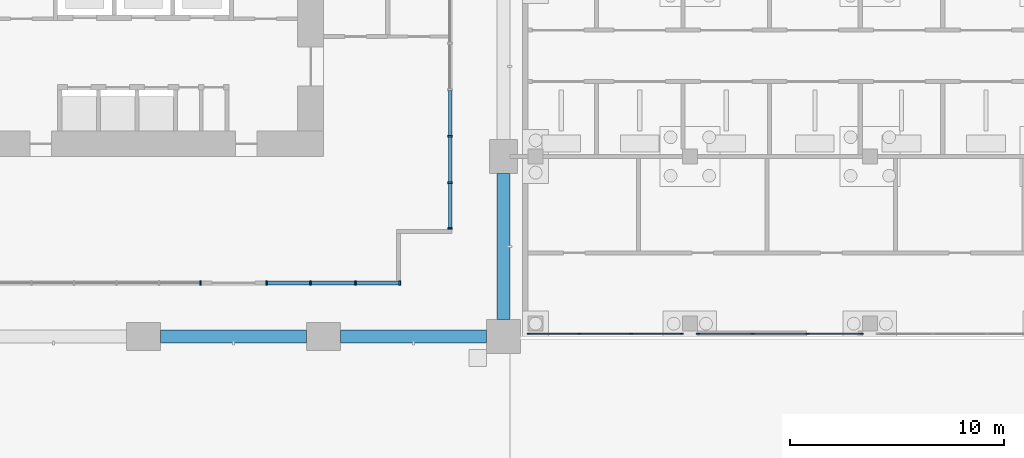
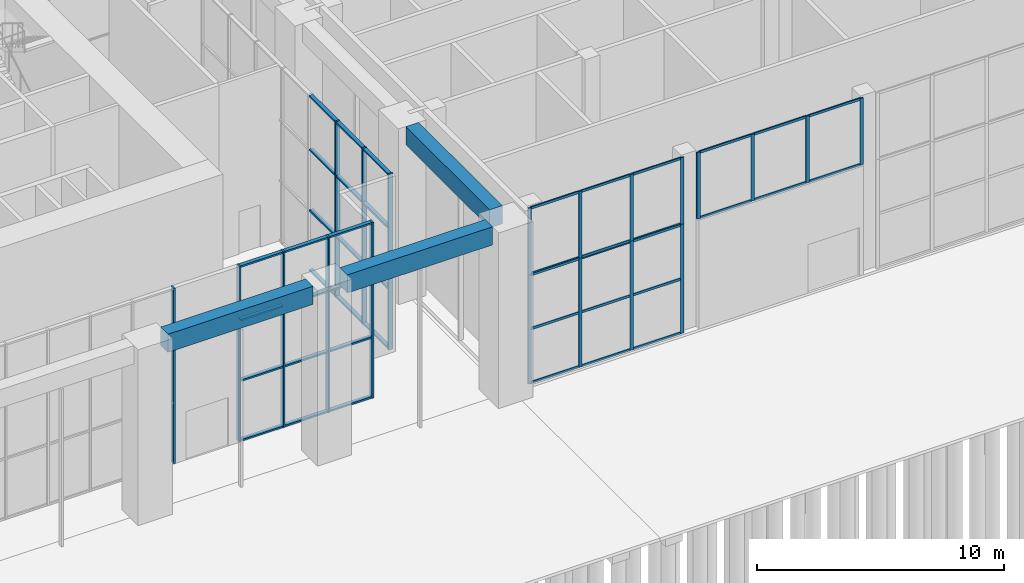
# One storey, part 7 of 46: 65 members, 3 beams, 6 elements without a shape of their own.
"""IFC4 building model written with IfcOpenShell, lengths in metres."""

from ifc_helpers import new_model, si_unit, direction, frame, origin, origin_2d, place, context, subcontext, project, spatial, rectangle, extrude, material, layer, layer_set, material_profile, profile_set, type_object, element, aggregate, save


model = new_model("IFC4")

# Units and contexts
model_context = context("Model", 3, precision=1e-05, world=origin(), true_north=direction((0.0, 1.0)))
body_context = subcontext(model_context, "Body", "Model", "MODEL_VIEW")
ifc_project = project(units=[si_unit("LENGTHUNIT", "METRE"), si_unit("AREAUNIT", "SQUARE_METRE"), si_unit("VOLUMEUNIT", "CUBIC_METRE"), si_unit("PLANEANGLEUNIT", "RADIAN"), si_unit("MASSUNIT", "GRAM", prefix="KILO")], contexts=[model_context])

# Site, building, storey
site_placement = place(None, origin())
site = spatial("IfcSite", under=ifc_project, at=site_placement, CompositionType="ELEMENT")
building_placement = place(site_placement, origin())
building = spatial("IfcBuilding", under=site, at=building_placement, Name="Vermilion Gate Residences", CompositionType="ELEMENT")
storey_placement = place(building_placement, origin())
storey = spatial("IfcBuildingStorey", under=building, at=storey_placement, Name="L00", CompositionType="ELEMENT", Elevation=0.0)

# Curtain wall, members
ifc_material_1 = material(Name="Aluminium and glass", Category="aluminium")
ifc_layer_1 = layer(ifc_material_1, 0.159912109375)
ifc_layer_set_1 = layer_set([ifc_layer_1], Name="SHOPFRONT CURTAIN WALL (MARKET HALL)")
curtain_wall_type_1 = type_object("IfcCurtainWallType", Name="SHOPFRONT CURTAIN WALL (MARKET HALL)", PredefinedType="NOTDEFINED", material=ifc_layer_set_1)
curtain_wall_1_placement = place(storey_placement, origin())
curtain_wall_1 = element("IfcCurtainWall", 1, at=curtain_wall_1_placement, inside=storey, type_object=curtain_wall_type_1, Name="Shopfront glazing", PredefinedType="NOTDEFINED")
ifc_material_2 = material(Name="Aluminium", Category="aluminium")
ifc_material_profile_1 = material_profile(ifc_material_2, rectangle(XDim=0.06005859375, YDim=0.159912109375, at=origin_2d()), Name="ALUMINIUM MULLION 60 X 160 (MARKET HALL)")
ifc_profile_set_1 = profile_set([ifc_material_profile_1], Name="Aluminium")
member_type_1 = type_object("IfcMemberType", Name="ALUMINIUM MULLION 60 X 160 (MARKET HALL)", PredefinedType="MULLION", material=ifc_profile_set_1)
member_1_placement = place(storey_placement, frame((68.3798828125, 0.125, 0.0), z_axis=(0.0, 0.0, 1.0), x_axis=(0.0, 1.0, 0.0)))
member_1 = element("IfcMember", 2, at=member_1_placement, type_object=member_type_1, Name="HC3 mullion 1", PredefinedType="MULLION", context=body_context, shape_type="SweptSolid", body=[
    extrude(rectangle(XDim=0.06005859375, YDim=0.159912109375, at=origin_2d()), origin(), (0.0, 0.0, 1.0), 5.39990234375),
])
member_2_placement = place(storey_placement, frame((70.75, 0.125, 0.0), z_axis=(0.0, 0.0, 1.0), x_axis=(0.0, 1.0, 0.0)))
member_2 = element("IfcMember", 3, at=member_2_placement, type_object=member_type_1, Name="HC3 mullion 2", PredefinedType="MULLION", context=body_context, shape_type="SweptSolid", body=[
    extrude(rectangle(XDim=0.06005859375, YDim=0.159912109375, at=origin_2d()), origin(), (0.0, 0.0, 1.0), 5.39990234375),
])
member_3_placement = place(storey_placement, frame((73.14990234375, 0.125, 0.0), z_axis=(0.0, 0.0, 1.0), x_axis=(0.0, 1.0, 0.0)))
member_3 = element("IfcMember", 4, at=member_3_placement, type_object=member_type_1, Name="HC3 mullion 3", PredefinedType="MULLION", context=body_context, shape_type="SweptSolid", body=[
    extrude(rectangle(XDim=0.06005859375, YDim=0.159912109375, at=origin_2d()), origin(), (0.0, 0.0, 1.0), 5.39990234375),
])
member_4_placement = place(storey_placement, frame((75.52001953125, 0.125, 0.0), z_axis=(0.0, 0.0, 1.0), x_axis=(0.0, 1.0, 0.0)))
member_4 = element("IfcMember", 5, at=member_4_placement, type_object=member_type_1, Name="HC3 mullion 4", PredefinedType="MULLION", context=body_context, shape_type="SweptSolid", body=[
    extrude(rectangle(XDim=0.06005859375, YDim=0.159912109375, at=origin_2d()), origin(), (0.0, 0.0, 1.0), 5.39990234375),
])

ifc_material_3 = material(Name="Aluminium and glass", Category="aluminium")
ifc_layer_2 = layer(ifc_material_3, 0.159912109375)
ifc_layer_set_2 = layer_set([ifc_layer_2], Name="CLERESTORY CURTAIN WALL (MARKET HALL)")
curtain_wall_type_2 = type_object("IfcCurtainWallType", Name="CLERESTORY CURTAIN WALL (MARKET HALL)", PredefinedType="NOTDEFINED", material=ifc_layer_set_2)
curtain_wall_2_placement = place(storey_placement, origin())
curtain_wall_2 = element("IfcCurtainWall", 6, at=curtain_wall_2_placement, inside=storey, type_object=curtain_wall_type_2, Name="Clerestory glazing", PredefinedType="NOTDEFINED")
member_5_placement = place(storey_placement, frame((68.3798828125, 0.125, 5.39990234375), z_axis=(0.0, 0.0, 1.0), x_axis=(0.0, 1.0, 0.0)))
member_5 = element("IfcMember", 7, at=member_5_placement, type_object=member_type_1, Name="HC4 mullion 1", PredefinedType="MULLION", context=body_context, shape_type="SweptSolid", body=[
    extrude(rectangle(XDim=0.06005859375, YDim=0.159912109375, at=origin_2d()), origin(), (0.0, 0.0, 1.0), 3.300048828125),
])
member_6_placement = place(storey_placement, frame((70.75, 0.125, 5.39990234375), z_axis=(0.0, 0.0, 1.0), x_axis=(0.0, 1.0, 0.0)))
member_6 = element("IfcMember", 8, at=member_6_placement, type_object=member_type_1, Name="HC4 mullion 2", PredefinedType="MULLION", context=body_context, shape_type="SweptSolid", body=[
    extrude(rectangle(XDim=0.06005859375, YDim=0.159912109375, at=origin_2d()), origin(), (0.0, 0.0, 1.0), 3.300048828125),
])
member_7_placement = place(storey_placement, frame((73.14990234375, 0.125, 5.39990234375), z_axis=(0.0, 0.0, 1.0), x_axis=(0.0, 1.0, 0.0)))
member_7 = element("IfcMember", 9, at=member_7_placement, type_object=member_type_1, Name="HC4 mullion 3", PredefinedType="MULLION", context=body_context, shape_type="SweptSolid", body=[
    extrude(rectangle(XDim=0.06005859375, YDim=0.159912109375, at=origin_2d()), origin(), (0.0, 0.0, 1.0), 3.300048828125),
])
member_8_placement = place(storey_placement, frame((75.52001953125, 0.125, 5.39990234375), z_axis=(0.0, 0.0, 1.0), x_axis=(0.0, 1.0, 0.0)))
member_8 = element("IfcMember", 10, at=member_8_placement, type_object=member_type_1, Name="HC4 mullion 4", PredefinedType="MULLION", context=body_context, shape_type="SweptSolid", body=[
    extrude(rectangle(XDim=0.06005859375, YDim=0.159912109375, at=origin_2d()), origin(), (0.0, 0.0, 1.0), 3.300048828125),
])

curtain_wall_3_placement = place(storey_placement, origin())
curtain_wall_3 = element("IfcCurtainWall", 11, at=curtain_wall_3_placement, inside=storey, type_object=curtain_wall_type_2, Name="Clerestory glazing", PredefinedType="NOTDEFINED")
member_9_placement = place(storey_placement, frame((76.280029296875, 0.125, 5.39990234375), z_axis=(0.0, 0.0, 1.0), x_axis=(0.0, 1.0, 0.0)))
member_9 = element("IfcMember", 12, at=member_9_placement, type_object=member_type_1, Name="HC4 mullion 1", PredefinedType="MULLION", context=body_context, shape_type="SweptSolid", body=[
    extrude(rectangle(XDim=0.06005859375, YDim=0.159912109375, at=origin_2d()), origin(), (0.0, 0.0, 1.0), 3.300048828125),
])
member_10_placement = place(storey_placement, frame((78.816650390625, 0.125, 5.39990234375), z_axis=(0.0, 0.0, 1.0), x_axis=(0.0, 1.0, 0.0)))
member_10 = element("IfcMember", 13, at=member_10_placement, type_object=member_type_1, Name="HC4 mullion 2", PredefinedType="MULLION", context=body_context, shape_type="SweptSolid", body=[
    extrude(rectangle(XDim=0.06005859375, YDim=0.159912109375, at=origin_2d()), origin(), (0.0, 0.0, 1.0), 3.300048828125),
])
member_11_placement = place(storey_placement, frame((81.38330078125, 0.125, 5.39990234375), z_axis=(0.0, 0.0, 1.0), x_axis=(0.0, 1.0, 0.0)))
member_11 = element("IfcMember", 14, at=member_11_placement, type_object=member_type_1, Name="HC4 mullion 3", PredefinedType="MULLION", context=body_context, shape_type="SweptSolid", body=[
    extrude(rectangle(XDim=0.06005859375, YDim=0.159912109375, at=origin_2d()), origin(), (0.0, 0.0, 1.0), 3.300048828125),
])
member_12_placement = place(storey_placement, frame((83.919921875, 0.125, 5.39990234375), z_axis=(0.0, 0.0, 1.0), x_axis=(0.0, 1.0, 0.0)))
member_12 = element("IfcMember", 15, at=member_12_placement, type_object=member_type_1, Name="HC4 mullion 4", PredefinedType="MULLION", context=body_context, shape_type="SweptSolid", body=[
    extrude(rectangle(XDim=0.06005859375, YDim=0.159912109375, at=origin_2d()), origin(), (0.0, 0.0, 1.0), 3.300048828125),
])

# Member
ifc_material_4 = material(Name="Aluminium", Category="aluminium")
ifc_material_profile_2 = material_profile(ifc_material_4, rectangle(XDim=0.06005859375, YDim=0.1201171875, at=origin_2d()), Name="ALUMINIUM TRANSOM 60 X 120 (MARKET HALL)")
ifc_profile_set_2 = profile_set([ifc_material_profile_2], Name="Aluminium")
member_type_2 = type_object("IfcMemberType", Name="ALUMINIUM TRANSOM 60 X 120 (MARKET HALL)", PredefinedType="MULLION", material=ifc_profile_set_2)
member_13_placement = place(storey_placement, frame((68.409912109375, 0.125, 0.030029296875), z_axis=(1.0, 0.0, 0.0), x_axis=(0.0, 1.0, 0.0)))
member_13 = element("IfcMember", 16, at=member_13_placement, type_object=member_type_2, Name="HC3 transom 1.1", PredefinedType="MULLION", context=body_context, shape_type="SweptSolid", body=[
    extrude(rectangle(XDim=0.06005859375, YDim=0.1201171875, at=origin_2d()), origin(), (0.0, 0.0, 1.0), 2.31005859375),
])

member_14_placement = place(storey_placement, frame((68.409912109375, 0.125, 2.699951171875), z_axis=(1.0, 0.0, 0.0), x_axis=(0.0, 1.0, 0.0)))
member_14 = element("IfcMember", 17, at=member_14_placement, type_object=member_type_2, Name="HC3 transom 1.2", PredefinedType="MULLION", context=body_context, shape_type="SweptSolid", body=[
    extrude(rectangle(XDim=0.06005859375, YDim=0.1201171875, at=origin_2d()), origin(), (0.0, 0.0, 1.0), 2.31005859375),
])

member_15_placement = place(storey_placement, frame((68.409912109375, 0.125, 5.3701171875), z_axis=(1.0, 0.0, 0.0), x_axis=(0.0, 1.0, 0.0)))
member_15 = element("IfcMember", 18, at=member_15_placement, type_object=member_type_2, Name="HC3 transom 1.3", PredefinedType="MULLION", context=body_context, shape_type="SweptSolid", body=[
    extrude(rectangle(XDim=0.06005859375, YDim=0.1201171875, at=origin_2d()), origin(), (0.0, 0.0, 1.0), 2.31005859375),
])

member_16_placement = place(storey_placement, frame((70.780029296875, 0.125, 0.030029296875), z_axis=(1.0, 0.0, 0.0), x_axis=(0.0, 1.0, 0.0)))
member_16 = element("IfcMember", 19, at=member_16_placement, type_object=member_type_2, Name="HC3 transom 2.1", PredefinedType="MULLION", context=body_context, shape_type="SweptSolid", body=[
    extrude(rectangle(XDim=0.06005859375, YDim=0.1201171875, at=origin_2d()), origin(), (0.0, 0.0, 1.0), 2.340087890625),
])

member_17_placement = place(storey_placement, frame((70.780029296875, 0.125, 2.699951171875), z_axis=(1.0, 0.0, 0.0), x_axis=(0.0, 1.0, 0.0)))
member_17 = element("IfcMember", 20, at=member_17_placement, type_object=member_type_2, Name="HC3 transom 2.2", PredefinedType="MULLION", context=body_context, shape_type="SweptSolid", body=[
    extrude(rectangle(XDim=0.06005859375, YDim=0.1201171875, at=origin_2d()), origin(), (0.0, 0.0, 1.0), 2.340087890625),
])

member_18_placement = place(storey_placement, frame((70.780029296875, 0.125, 5.3701171875), z_axis=(1.0, 0.0, 0.0), x_axis=(0.0, 1.0, 0.0)))
member_18 = element("IfcMember", 21, at=member_18_placement, type_object=member_type_2, Name="HC3 transom 2.3", PredefinedType="MULLION", context=body_context, shape_type="SweptSolid", body=[
    extrude(rectangle(XDim=0.06005859375, YDim=0.1201171875, at=origin_2d()), origin(), (0.0, 0.0, 1.0), 2.340087890625),
])

member_19_placement = place(storey_placement, frame((73.179931640625, 0.125, 0.030029296875), z_axis=(1.0, 0.0, 0.0), x_axis=(0.0, 1.0, 0.0)))
member_19 = element("IfcMember", 22, at=member_19_placement, type_object=member_type_2, Name="HC3 transom 3.1", PredefinedType="MULLION", context=body_context, shape_type="SweptSolid", body=[
    extrude(rectangle(XDim=0.06005859375, YDim=0.1201171875, at=origin_2d()), origin(), (0.0, 0.0, 1.0), 2.31005859375),
])

member_20_placement = place(storey_placement, frame((73.179931640625, 0.125, 2.699951171875), z_axis=(1.0, 0.0, 0.0), x_axis=(0.0, 1.0, 0.0)))
member_20 = element("IfcMember", 23, at=member_20_placement, type_object=member_type_2, Name="HC3 transom 3.2", PredefinedType="MULLION", context=body_context, shape_type="SweptSolid", body=[
    extrude(rectangle(XDim=0.06005859375, YDim=0.1201171875, at=origin_2d()), origin(), (0.0, 0.0, 1.0), 2.31005859375),
])

member_21_placement = place(storey_placement, frame((73.179931640625, 0.125, 5.3701171875), z_axis=(1.0, 0.0, 0.0), x_axis=(0.0, 1.0, 0.0)))
member_21 = element("IfcMember", 24, at=member_21_placement, type_object=member_type_2, Name="HC3 transom 3.3", PredefinedType="MULLION", context=body_context, shape_type="SweptSolid", body=[
    extrude(rectangle(XDim=0.06005859375, YDim=0.1201171875, at=origin_2d()), origin(), (0.0, 0.0, 1.0), 2.31005859375),
])

aggregate(curtain_wall_1, [member_1, member_2, member_3, member_4, member_13, member_14, member_15, member_16, member_17, member_18, member_19, member_20, member_21])

member_22_placement = place(storey_placement, frame((68.409912109375, 0.125, 5.429931640625), z_axis=(1.0, 0.0, 0.0), x_axis=(0.0, 1.0, 0.0)))
member_22 = element("IfcMember", 25, at=member_22_placement, type_object=member_type_2, Name="HC4 transom 1.1", PredefinedType="MULLION", context=body_context, shape_type="SweptSolid", body=[
    extrude(rectangle(XDim=0.06005859375, YDim=0.1201171875, at=origin_2d()), origin(), (0.0, 0.0, 1.0), 2.31005859375),
])

member_23_placement = place(storey_placement, frame((68.409912109375, 0.125, 8.669921875), z_axis=(1.0, 0.0, 0.0), x_axis=(0.0, 1.0, 0.0)))
member_23 = element("IfcMember", 26, at=member_23_placement, type_object=member_type_2, Name="HC4 transom 1.2", PredefinedType="MULLION", context=body_context, shape_type="SweptSolid", body=[
    extrude(rectangle(XDim=0.06005859375, YDim=0.1201171875, at=origin_2d()), origin(), (0.0, 0.0, 1.0), 2.31005859375),
])

member_24_placement = place(storey_placement, frame((70.780029296875, 0.125, 5.429931640625), z_axis=(1.0, 0.0, 0.0), x_axis=(0.0, 1.0, 0.0)))
member_24 = element("IfcMember", 27, at=member_24_placement, type_object=member_type_2, Name="HC4 transom 2.1", PredefinedType="MULLION", context=body_context, shape_type="SweptSolid", body=[
    extrude(rectangle(XDim=0.06005859375, YDim=0.1201171875, at=origin_2d()), origin(), (0.0, 0.0, 1.0), 2.340087890625),
])

member_25_placement = place(storey_placement, frame((70.780029296875, 0.125, 8.669921875), z_axis=(1.0, 0.0, 0.0), x_axis=(0.0, 1.0, 0.0)))
member_25 = element("IfcMember", 28, at=member_25_placement, type_object=member_type_2, Name="HC4 transom 2.2", PredefinedType="MULLION", context=body_context, shape_type="SweptSolid", body=[
    extrude(rectangle(XDim=0.06005859375, YDim=0.1201171875, at=origin_2d()), origin(), (0.0, 0.0, 1.0), 2.340087890625),
])

member_26_placement = place(storey_placement, frame((73.179931640625, 0.125, 5.429931640625), z_axis=(1.0, 0.0, 0.0), x_axis=(0.0, 1.0, 0.0)))
member_26 = element("IfcMember", 29, at=member_26_placement, type_object=member_type_2, Name="HC4 transom 3.1", PredefinedType="MULLION", context=body_context, shape_type="SweptSolid", body=[
    extrude(rectangle(XDim=0.06005859375, YDim=0.1201171875, at=origin_2d()), origin(), (0.0, 0.0, 1.0), 2.31005859375),
])

member_27_placement = place(storey_placement, frame((73.179931640625, 0.125, 8.669921875), z_axis=(1.0, 0.0, 0.0), x_axis=(0.0, 1.0, 0.0)))
member_27 = element("IfcMember", 30, at=member_27_placement, type_object=member_type_2, Name="HC4 transom 3.2", PredefinedType="MULLION", context=body_context, shape_type="SweptSolid", body=[
    extrude(rectangle(XDim=0.06005859375, YDim=0.1201171875, at=origin_2d()), origin(), (0.0, 0.0, 1.0), 2.31005859375),
])

aggregate(curtain_wall_2, [member_5, member_6, member_7, member_8, member_22, member_23, member_24, member_25, member_26, member_27])

member_28_placement = place(storey_placement, frame((76.31005859375, 0.125, 5.429931640625), z_axis=(1.0, 0.0, 0.0), x_axis=(0.0, 1.0, 0.0)))
member_28 = element("IfcMember", 31, at=member_28_placement, type_object=member_type_2, Name="HC4 transom 1.1", PredefinedType="MULLION", context=body_context, shape_type="SweptSolid", body=[
    extrude(rectangle(XDim=0.06005859375, YDim=0.1201171875, at=origin_2d()), origin(), (0.0, 0.0, 1.0), 2.4765625),
])

member_29_placement = place(storey_placement, frame((76.31005859375, 0.125, 8.669921875), z_axis=(1.0, 0.0, 0.0), x_axis=(0.0, 1.0, 0.0)))
member_29 = element("IfcMember", 32, at=member_29_placement, type_object=member_type_2, Name="HC4 transom 1.2", PredefinedType="MULLION", context=body_context, shape_type="SweptSolid", body=[
    extrude(rectangle(XDim=0.06005859375, YDim=0.1201171875, at=origin_2d()), origin(), (0.0, 0.0, 1.0), 2.4765625),
])

member_30_placement = place(storey_placement, frame((78.8466796875, 0.125, 5.429931640625), z_axis=(1.0, 0.0, 0.0), x_axis=(0.0, 1.0, 0.0)))
member_30 = element("IfcMember", 33, at=member_30_placement, type_object=member_type_2, Name="HC4 transom 2.1", PredefinedType="MULLION", context=body_context, shape_type="SweptSolid", body=[
    extrude(rectangle(XDim=0.06005859375, YDim=0.1201171875, at=origin_2d()), origin(), (0.0, 0.0, 1.0), 2.506591796875),
])

member_31_placement = place(storey_placement, frame((78.8466796875, 0.125, 8.669921875), z_axis=(1.0, 0.0, 0.0), x_axis=(0.0, 1.0, 0.0)))
member_31 = element("IfcMember", 34, at=member_31_placement, type_object=member_type_2, Name="HC4 transom 2.2", PredefinedType="MULLION", context=body_context, shape_type="SweptSolid", body=[
    extrude(rectangle(XDim=0.06005859375, YDim=0.1201171875, at=origin_2d()), origin(), (0.0, 0.0, 1.0), 2.506591796875),
])

member_32_placement = place(storey_placement, frame((81.413330078125, 0.125, 5.429931640625), z_axis=(1.0, 0.0, 0.0), x_axis=(0.0, 1.0, 0.0)))
member_32 = element("IfcMember", 35, at=member_32_placement, type_object=member_type_2, Name="HC4 transom 3.1", PredefinedType="MULLION", context=body_context, shape_type="SweptSolid", body=[
    extrude(rectangle(XDim=0.06005859375, YDim=0.1201171875, at=origin_2d()), origin(), (0.0, 0.0, 1.0), 2.4765625),
])

member_33_placement = place(storey_placement, frame((81.413330078125, 0.125, 8.669921875), z_axis=(1.0, 0.0, 0.0), x_axis=(0.0, 1.0, 0.0)))
member_33 = element("IfcMember", 36, at=member_33_placement, type_object=member_type_2, Name="HC4 transom 3.2", PredefinedType="MULLION", context=body_context, shape_type="SweptSolid", body=[
    extrude(rectangle(XDim=0.06005859375, YDim=0.1201171875, at=origin_2d()), origin(), (0.0, 0.0, 1.0), 2.4765625),
])

aggregate(curtain_wall_3, [member_9, member_10, member_11, member_12, member_28, member_29, member_30, member_31, member_32, member_33])

# Curtain wall, member
ifc_material_5 = material(Name="Aluminium and glass", Category="aluminium")
curtain_wall_type_3 = type_object("IfcCurtainWallType", Name="LOBBY ENTRANCE GLAZING CURTAIN WALL", PredefinedType="NOTDEFINED", material=ifc_material_5)
curtain_wall_4_placement = place(storey_placement, origin())
curtain_wall_4 = element("IfcCurtainWall", 37, at=curtain_wall_4_placement, inside=storey, type_object=curtain_wall_type_3, Name="Lobby Entrance Glazing 90", PredefinedType="NOTDEFINED")
ifc_material_6 = material(Name="Aluminium", Category="aluminium")
ifc_material_profile_3 = material_profile(ifc_material_6, rectangle(XDim=0.219970703125, YDim=0.080078125, at=origin_2d()), Name="MULLION 80 X 220")
ifc_profile_set_3 = profile_set([ifc_material_profile_3], Name="Aluminium")
member_type_3 = type_object("IfcMemberType", Name="LOBBY ENTRANCE GLAZING MULLION 80 X 220", PredefinedType="MULLION", material=ifc_profile_set_3)
member_34_placement = place(storey_placement, frame((53.06005859375, 2.5, 0.0), z_axis=(0.0, 0.0, 1.0), x_axis=(0.0, 1.0, 0.0)))
member_34 = element("IfcMember", 38, at=member_34_placement, type_object=member_type_3, Name="ECW5 mullion 6", PredefinedType="MULLION", context=body_context, shape_type="SweptSolid", body=[
    extrude(rectangle(XDim=0.219970703125, YDim=0.080078125, at=origin_2d()), origin(), (0.0, 0.0, 1.0), 8.699951171875),
])
aggregate(curtain_wall_4, [member_34])

# Curtain wall, members
curtain_wall_5_placement = place(storey_placement, origin())
curtain_wall_5 = element("IfcCurtainWall", 39, at=curtain_wall_5_placement, inside=storey, type_object=curtain_wall_type_3, Name="Lobby Entrance Glazing 92", PredefinedType="NOTDEFINED")
member_35_placement = place(storey_placement, frame((56.139892578125, 2.5, 0.0), z_axis=(0.0, 0.0, 1.0), x_axis=(0.0, 1.0, 0.0)))
member_35 = element("IfcMember", 40, at=member_35_placement, type_object=member_type_3, Name="ECW5 mullion 1", PredefinedType="MULLION", context=body_context, shape_type="SweptSolid", body=[
    extrude(rectangle(XDim=0.219970703125, YDim=0.080078125, at=origin_2d()), origin(), (0.0, 0.0, 1.0), 8.699951171875),
])
member_36_placement = place(storey_placement, frame((58.199951171875, 2.5, 0.0), z_axis=(0.0, 0.0, 1.0), x_axis=(0.0, 1.0, 0.0)))
member_36 = element("IfcMember", 41, at=member_36_placement, type_object=member_type_3, Name="ECW5 mullion 2", PredefinedType="MULLION", context=body_context, shape_type="SweptSolid", body=[
    extrude(rectangle(XDim=0.219970703125, YDim=0.080078125, at=origin_2d()), origin(), (0.0, 0.0, 1.0), 8.699951171875),
])
member_37_placement = place(storey_placement, frame((60.300048828125, 2.5, 0.0), z_axis=(0.0, 0.0, 1.0), x_axis=(0.0, 1.0, 0.0)))
member_37 = element("IfcMember", 42, at=member_37_placement, type_object=member_type_3, Name="ECW5 mullion 3", PredefinedType="MULLION", context=body_context, shape_type="SweptSolid", body=[
    extrude(rectangle(XDim=0.219970703125, YDim=0.080078125, at=origin_2d()), origin(), (0.0, 0.0, 1.0), 8.699951171875),
])
member_38_placement = place(storey_placement, frame((62.360107421875, 2.5, 0.0), z_axis=(0.0, 0.0, 1.0), x_axis=(0.0, 1.0, 0.0)))
member_38 = element("IfcMember", 43, at=member_38_placement, type_object=member_type_3, Name="ECW5 mullion 4", PredefinedType="MULLION", context=body_context, shape_type="SweptSolid", body=[
    extrude(rectangle(XDim=0.219970703125, YDim=0.080078125, at=origin_2d()), origin(), (0.0, 0.0, 1.0), 8.699951171875),
])

curtain_wall_6_placement = place(storey_placement, origin())
curtain_wall_6 = element("IfcCurtainWall", 44, at=curtain_wall_6_placement, inside=storey, type_object=curtain_wall_type_3, Name="Lobby Entrance Glazing 120", PredefinedType="NOTDEFINED")
member_39_placement = place(storey_placement, frame((64.699951171875, 5.0400390625, 0.0), z_axis=(0.0, 0.0, 1.0), x_axis=(-1.0, 0.0, 0.0)))
member_39 = element("IfcMember", 45, at=member_39_placement, type_object=member_type_3, Name="ECW5 mullion 1", PredefinedType="MULLION", context=body_context, shape_type="SweptSolid", body=[
    extrude(rectangle(XDim=0.219970703125, YDim=0.080078125, at=origin_2d()), origin(), (0.0, 0.0, 1.0), 8.699951171875),
])
member_40_placement = place(storey_placement, frame((64.699951171875, 7.17138671875, 0.0), z_axis=(0.0, 0.0, 1.0), x_axis=(-1.0, 0.0, 0.0)))
member_40 = element("IfcMember", 46, at=member_40_placement, type_object=member_type_3, Name="ECW5 mullion 2", PredefinedType="MULLION", context=body_context, shape_type="SweptSolid", body=[
    extrude(rectangle(XDim=0.219970703125, YDim=0.080078125, at=origin_2d()), origin(), (0.0, 0.0, 1.0), 8.699951171875),
])
member_41_placement = place(storey_placement, frame((64.699951171875, 9.3427734375, 0.0), z_axis=(0.0, 0.0, 1.0), x_axis=(-1.0, 0.0, 0.0)))
member_41 = element("IfcMember", 47, at=member_41_placement, type_object=member_type_3, Name="ECW5 mullion 3", PredefinedType="MULLION", context=body_context, shape_type="SweptSolid", body=[
    extrude(rectangle(XDim=0.219970703125, YDim=0.080078125, at=origin_2d()), origin(), (0.0, 0.0, 1.0), 8.699951171875),
])

# Member
ifc_material_7 = material(Name="Aluminium", Category="aluminium")
ifc_material_profile_4 = material_profile(ifc_material_7, rectangle(XDim=0.179931640625, YDim=0.080078125, at=origin_2d()), Name="TRANSOM 80 X 180")
ifc_profile_set_4 = profile_set([ifc_material_profile_4], Name="Aluminium")
member_type_4 = type_object("IfcMemberType", Name="LOBBY ENTRANCE GLAZING TRANSOM 80 X 180", PredefinedType="MULLION", material=ifc_profile_set_4)
member_42_placement = place(storey_placement, frame((56.179931640625, 2.5, 0.0400390625), z_axis=(1.0, 0.0, 0.0), x_axis=(0.0, 1.0, 0.0)))
member_42 = element("IfcMember", 48, at=member_42_placement, type_object=member_type_4, Name="ECW5 transom 1.1", PredefinedType="MULLION", context=body_context, shape_type="SweptSolid", body=[
    extrude(rectangle(XDim=0.179931640625, YDim=0.080078125, at=origin_2d()), origin(), (0.0, 0.0, 1.0), 1.97998046875),
])

member_43_placement = place(storey_placement, frame((56.179931640625, 2.5, 3.0), z_axis=(1.0, 0.0, 0.0), x_axis=(0.0, 1.0, 0.0)))
member_43 = element("IfcMember", 49, at=member_43_placement, type_object=member_type_4, Name="ECW5 transom 1.2", PredefinedType="MULLION", context=body_context, shape_type="SweptSolid", body=[
    extrude(rectangle(XDim=0.179931640625, YDim=0.080078125, at=origin_2d()), origin(), (0.0, 0.0, 1.0), 1.97998046875),
])

member_44_placement = place(storey_placement, frame((56.179931640625, 2.5, 6.0), z_axis=(1.0, 0.0, 0.0), x_axis=(0.0, 1.0, 0.0)))
member_44 = element("IfcMember", 50, at=member_44_placement, type_object=member_type_4, Name="ECW5 transom 1.3", PredefinedType="MULLION", context=body_context, shape_type="SweptSolid", body=[
    extrude(rectangle(XDim=0.179931640625, YDim=0.080078125, at=origin_2d()), origin(), (0.0, 0.0, 1.0), 1.97998046875),
])

member_45_placement = place(storey_placement, frame((56.179931640625, 2.5, 8.659912109375), z_axis=(1.0, 0.0, 0.0), x_axis=(0.0, 1.0, 0.0)))
member_45 = element("IfcMember", 51, at=member_45_placement, type_object=member_type_4, Name="ECW5 transom 1.4", PredefinedType="MULLION", context=body_context, shape_type="SweptSolid", body=[
    extrude(rectangle(XDim=0.179931640625, YDim=0.080078125, at=origin_2d()), origin(), (0.0, 0.0, 1.0), 1.97998046875),
])

member_46_placement = place(storey_placement, frame((58.239990234375, 2.5, 0.0400390625), z_axis=(1.0, 0.0, 0.0), x_axis=(0.0, 1.0, 0.0)))
member_46 = element("IfcMember", 52, at=member_46_placement, type_object=member_type_4, Name="ECW5 transom 2.1", PredefinedType="MULLION", context=body_context, shape_type="SweptSolid", body=[
    extrude(rectangle(XDim=0.179931640625, YDim=0.080078125, at=origin_2d()), origin(), (0.0, 0.0, 1.0), 2.02001953125),
])

member_47_placement = place(storey_placement, frame((58.239990234375, 2.5, 3.0), z_axis=(1.0, 0.0, 0.0), x_axis=(0.0, 1.0, 0.0)))
member_47 = element("IfcMember", 53, at=member_47_placement, type_object=member_type_4, Name="ECW5 transom 2.2", PredefinedType="MULLION", context=body_context, shape_type="SweptSolid", body=[
    extrude(rectangle(XDim=0.179931640625, YDim=0.080078125, at=origin_2d()), origin(), (0.0, 0.0, 1.0), 2.02001953125),
])

member_48_placement = place(storey_placement, frame((58.239990234375, 2.5, 6.0), z_axis=(1.0, 0.0, 0.0), x_axis=(0.0, 1.0, 0.0)))
member_48 = element("IfcMember", 54, at=member_48_placement, type_object=member_type_4, Name="ECW5 transom 2.3", PredefinedType="MULLION", context=body_context, shape_type="SweptSolid", body=[
    extrude(rectangle(XDim=0.179931640625, YDim=0.080078125, at=origin_2d()), origin(), (0.0, 0.0, 1.0), 2.02001953125),
])

member_49_placement = place(storey_placement, frame((58.239990234375, 2.5, 8.659912109375), z_axis=(1.0, 0.0, 0.0), x_axis=(0.0, 1.0, 0.0)))
member_49 = element("IfcMember", 55, at=member_49_placement, type_object=member_type_4, Name="ECW5 transom 2.4", PredefinedType="MULLION", context=body_context, shape_type="SweptSolid", body=[
    extrude(rectangle(XDim=0.179931640625, YDim=0.080078125, at=origin_2d()), origin(), (0.0, 0.0, 1.0), 2.02001953125),
])

member_50_placement = place(storey_placement, frame((60.340087890625, 2.5, 0.0400390625), z_axis=(1.0, 0.0, 0.0), x_axis=(0.0, 1.0, 0.0)))
member_50 = element("IfcMember", 56, at=member_50_placement, type_object=member_type_4, Name="ECW5 transom 3.1", PredefinedType="MULLION", context=body_context, shape_type="SweptSolid", body=[
    extrude(rectangle(XDim=0.179931640625, YDim=0.080078125, at=origin_2d()), origin(), (0.0, 0.0, 1.0), 1.97998046875),
])

member_51_placement = place(storey_placement, frame((60.340087890625, 2.5, 3.0), z_axis=(1.0, 0.0, 0.0), x_axis=(0.0, 1.0, 0.0)))
member_51 = element("IfcMember", 57, at=member_51_placement, type_object=member_type_4, Name="ECW5 transom 3.2", PredefinedType="MULLION", context=body_context, shape_type="SweptSolid", body=[
    extrude(rectangle(XDim=0.179931640625, YDim=0.080078125, at=origin_2d()), origin(), (0.0, 0.0, 1.0), 1.97998046875),
])

member_52_placement = place(storey_placement, frame((60.340087890625, 2.5, 6.0), z_axis=(1.0, 0.0, 0.0), x_axis=(0.0, 1.0, 0.0)))
member_52 = element("IfcMember", 58, at=member_52_placement, type_object=member_type_4, Name="ECW5 transom 3.3", PredefinedType="MULLION", context=body_context, shape_type="SweptSolid", body=[
    extrude(rectangle(XDim=0.179931640625, YDim=0.080078125, at=origin_2d()), origin(), (0.0, 0.0, 1.0), 1.97998046875),
])

member_53_placement = place(storey_placement, frame((60.340087890625, 2.5, 8.659912109375), z_axis=(1.0, 0.0, 0.0), x_axis=(0.0, 1.0, 0.0)))
member_53 = element("IfcMember", 59, at=member_53_placement, type_object=member_type_4, Name="ECW5 transom 3.4", PredefinedType="MULLION", context=body_context, shape_type="SweptSolid", body=[
    extrude(rectangle(XDim=0.179931640625, YDim=0.080078125, at=origin_2d()), origin(), (0.0, 0.0, 1.0), 1.97998046875),
])

aggregate(curtain_wall_5, [member_35, member_36, member_37, member_38, member_42, member_43, member_44, member_45, member_46, member_47, member_48, member_49, member_50, member_51, member_52, member_53])

member_54_placement = place(storey_placement, frame((64.699951171875, 5.080078125, 0.0400390625), z_axis=(0.0, 1.0, 0.0), x_axis=(-1.0, 0.0, 0.0)))
member_54 = element("IfcMember", 60, at=member_54_placement, type_object=member_type_4, Name="ECW5 transom 1.1", PredefinedType="MULLION", context=body_context, shape_type="SweptSolid", body=[
    extrude(rectangle(XDim=0.179931640625, YDim=0.080078125, at=origin_2d()), origin(), (0.0, 0.0, 1.0), 2.05126953125),
])

member_55_placement = place(storey_placement, frame((64.699951171875, 5.080078125, 3.0), z_axis=(0.0, 1.0, 0.0), x_axis=(-1.0, 0.0, 0.0)))
member_55 = element("IfcMember", 61, at=member_55_placement, type_object=member_type_4, Name="ECW5 transom 1.2", PredefinedType="MULLION", context=body_context, shape_type="SweptSolid", body=[
    extrude(rectangle(XDim=0.179931640625, YDim=0.080078125, at=origin_2d()), origin(), (0.0, 0.0, 1.0), 2.05126953125),
])

member_56_placement = place(storey_placement, frame((64.699951171875, 5.080078125, 6.0), z_axis=(0.0, 1.0, 0.0), x_axis=(-1.0, 0.0, 0.0)))
member_56 = element("IfcMember", 62, at=member_56_placement, type_object=member_type_4, Name="ECW5 transom 1.3", PredefinedType="MULLION", context=body_context, shape_type="SweptSolid", body=[
    extrude(rectangle(XDim=0.179931640625, YDim=0.080078125, at=origin_2d()), origin(), (0.0, 0.0, 1.0), 2.05126953125),
])

member_57_placement = place(storey_placement, frame((64.699951171875, 5.080078125, 8.659912109375), z_axis=(0.0, 1.0, 0.0), x_axis=(-1.0, 0.0, 0.0)))
member_57 = element("IfcMember", 63, at=member_57_placement, type_object=member_type_4, Name="ECW5 transom 1.4", PredefinedType="MULLION", context=body_context, shape_type="SweptSolid", body=[
    extrude(rectangle(XDim=0.179931640625, YDim=0.080078125, at=origin_2d()), origin(), (0.0, 0.0, 1.0), 2.05126953125),
])

member_58_placement = place(storey_placement, frame((64.699951171875, 7.21142578125, 0.0400390625), z_axis=(0.0, 1.0, 0.0), x_axis=(-1.0, 0.0, 0.0)))
member_58 = element("IfcMember", 64, at=member_58_placement, type_object=member_type_4, Name="ECW5 transom 2.1", PredefinedType="MULLION", context=body_context, shape_type="SweptSolid", body=[
    extrude(rectangle(XDim=0.179931640625, YDim=0.080078125, at=origin_2d()), origin(), (0.0, 0.0, 1.0), 2.091552734375),
])

member_59_placement = place(storey_placement, frame((64.699951171875, 7.21142578125, 3.0), z_axis=(0.0, 1.0, 0.0), x_axis=(-1.0, 0.0, 0.0)))
member_59 = element("IfcMember", 65, at=member_59_placement, type_object=member_type_4, Name="ECW5 transom 2.2", PredefinedType="MULLION", context=body_context, shape_type="SweptSolid", body=[
    extrude(rectangle(XDim=0.179931640625, YDim=0.080078125, at=origin_2d()), origin(), (0.0, 0.0, 1.0), 2.091552734375),
])

member_60_placement = place(storey_placement, frame((64.699951171875, 7.21142578125, 6.0), z_axis=(0.0, 1.0, 0.0), x_axis=(-1.0, 0.0, 0.0)))
member_60 = element("IfcMember", 66, at=member_60_placement, type_object=member_type_4, Name="ECW5 transom 2.3", PredefinedType="MULLION", context=body_context, shape_type="SweptSolid", body=[
    extrude(rectangle(XDim=0.179931640625, YDim=0.080078125, at=origin_2d()), origin(), (0.0, 0.0, 1.0), 2.091552734375),
])

member_61_placement = place(storey_placement, frame((64.699951171875, 7.21142578125, 8.659912109375), z_axis=(0.0, 1.0, 0.0), x_axis=(-1.0, 0.0, 0.0)))
member_61 = element("IfcMember", 67, at=member_61_placement, type_object=member_type_4, Name="ECW5 transom 2.4", PredefinedType="MULLION", context=body_context, shape_type="SweptSolid", body=[
    extrude(rectangle(XDim=0.179931640625, YDim=0.080078125, at=origin_2d()), origin(), (0.0, 0.0, 1.0), 2.091552734375),
])

member_62_placement = place(storey_placement, frame((64.699951171875, 9.3828125, 0.0400390625), z_axis=(0.0, 1.0, 0.0), x_axis=(-1.0, 0.0, 0.0)))
member_62 = element("IfcMember", 68, at=member_62_placement, type_object=member_type_4, Name="ECW5 transom 3.1", PredefinedType="MULLION", context=body_context, shape_type="SweptSolid", body=[
    extrude(rectangle(XDim=0.179931640625, YDim=0.080078125, at=origin_2d()), origin(), (0.0, 0.0, 1.0), 2.091552734375),
])

member_63_placement = place(storey_placement, frame((64.699951171875, 9.3828125, 3.0), z_axis=(0.0, 1.0, 0.0), x_axis=(-1.0, 0.0, 0.0)))
member_63 = element("IfcMember", 69, at=member_63_placement, type_object=member_type_4, Name="ECW5 transom 3.2", PredefinedType="MULLION", context=body_context, shape_type="SweptSolid", body=[
    extrude(rectangle(XDim=0.179931640625, YDim=0.080078125, at=origin_2d()), origin(), (0.0, 0.0, 1.0), 2.091552734375),
])

member_64_placement = place(storey_placement, frame((64.699951171875, 9.3828125, 6.0), z_axis=(0.0, 1.0, 0.0), x_axis=(-1.0, 0.0, 0.0)))
member_64 = element("IfcMember", 70, at=member_64_placement, type_object=member_type_4, Name="ECW5 transom 3.3", PredefinedType="MULLION", context=body_context, shape_type="SweptSolid", body=[
    extrude(rectangle(XDim=0.179931640625, YDim=0.080078125, at=origin_2d()), origin(), (0.0, 0.0, 1.0), 2.091552734375),
])

member_65_placement = place(storey_placement, frame((64.699951171875, 9.3828125, 8.659912109375), z_axis=(0.0, 1.0, 0.0), x_axis=(-1.0, 0.0, 0.0)))
member_65 = element("IfcMember", 71, at=member_65_placement, type_object=member_type_4, Name="ECW5 transom 3.4", PredefinedType="MULLION", context=body_context, shape_type="SweptSolid", body=[
    extrude(rectangle(XDim=0.179931640625, YDim=0.080078125, at=origin_2d()), origin(), (0.0, 0.0, 1.0), 2.091552734375),
])

aggregate(curtain_wall_6, [member_39, member_40, member_41, member_54, member_55, member_56, member_57, member_58, member_59, member_60, member_61, member_62, member_63, member_64, member_65])

# Beams
ifc_material_8 = material(Name="Concrete C60 red-oxide pigmented", Category="concrete")
ifc_material_profile_5 = material_profile(ifc_material_8, rectangle(XDim=0.60009765625, YDim=0.89990234375, at=origin_2d()), Name="RC-600x900")
ifc_profile_set_5 = profile_set([ifc_material_profile_5], Name="Concrete C60 red-oxide pigmented")
beam_type = type_object("IfcBeamType", Name="RC EDGE BEAM 600 X 900 C60", PredefinedType="BEAM", material=ifc_profile_set_5)
beam_1_placement = place(storey_placement, frame((51.199951171875, 0.0, 8.25), z_axis=(1.0, 0.0, 0.0), x_axis=(0.0, 1.0, 0.0)))
element("IfcBeam", 72, at=beam_1_placement, inside=storey, type_object=beam_type, Name="Edge beam L00 15", PredefinedType="BEAM", context=body_context, shape_type="SweptSolid", body=[
    extrude(rectangle(XDim=0.60009765625, YDim=0.89990234375, at=origin_2d()), origin(), (0.0, 0.0, 1.0), 6.800048828125),
])
beam_2_placement = place(storey_placement, frame((59.60009765625, 0.0, 8.25), z_axis=(1.0, 0.0, 0.0), x_axis=(0.0, 1.0, 0.0)))
element("IfcBeam", 73, at=beam_2_placement, inside=storey, type_object=beam_type, Name="Edge beam L00 16", PredefinedType="BEAM", context=body_context, shape_type="SweptSolid", body=[
    extrude(rectangle(XDim=0.60009765625, YDim=0.89990234375, at=origin_2d()), origin(), (0.0, 0.0, 1.0), 6.7998046875),
])
beam_3_placement = place(storey_placement, frame((67.199951171875, 0.800048828125, 8.25), z_axis=(0.0, 1.0, 0.0), x_axis=(-1.0, 0.0, 0.0)))
element("IfcBeam", 74, at=beam_3_placement, inside=storey, type_object=beam_type, Name="Edge beam L00 17", PredefinedType="BEAM", context=body_context, shape_type="SweptSolid", body=[
    extrude(rectangle(XDim=0.60009765625, YDim=0.89990234375, at=origin_2d()), origin(), (0.0, 0.0, 1.0), 6.800048828125),
])

save(model, "model.ifc")
